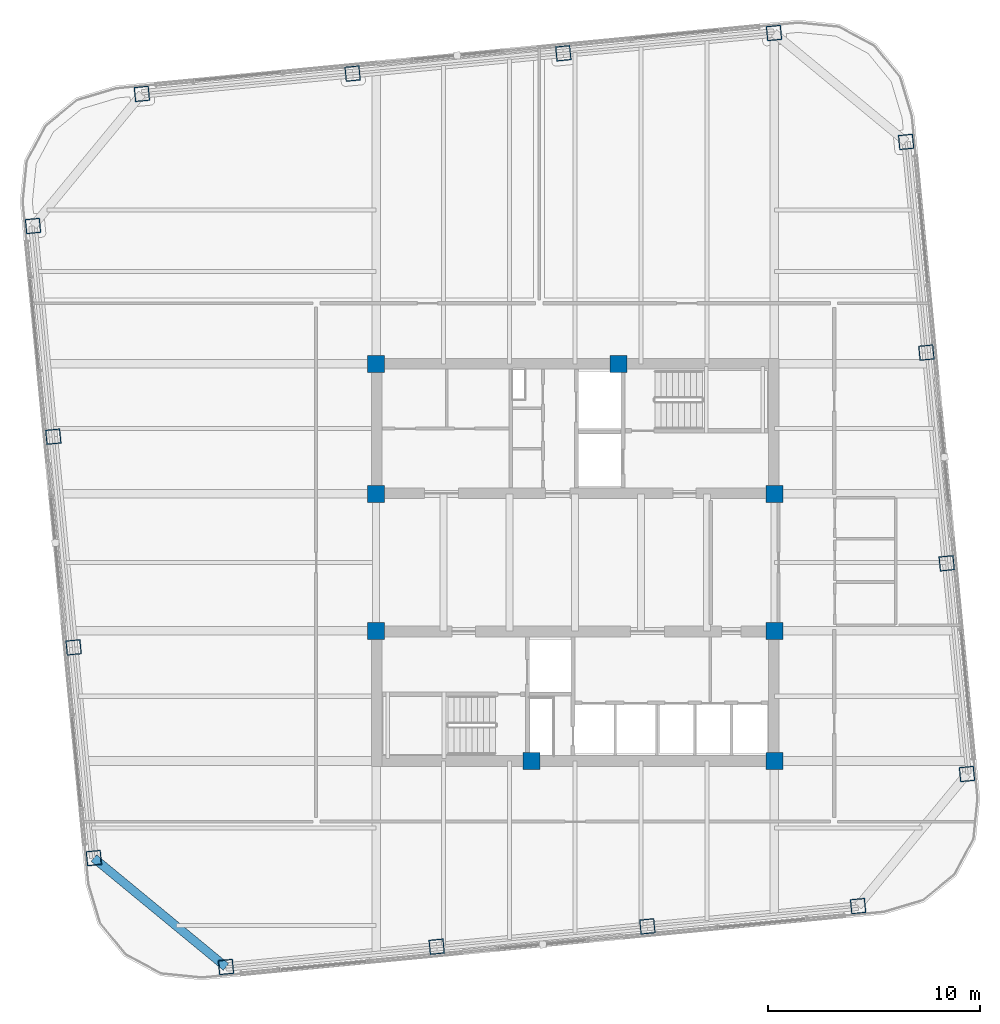
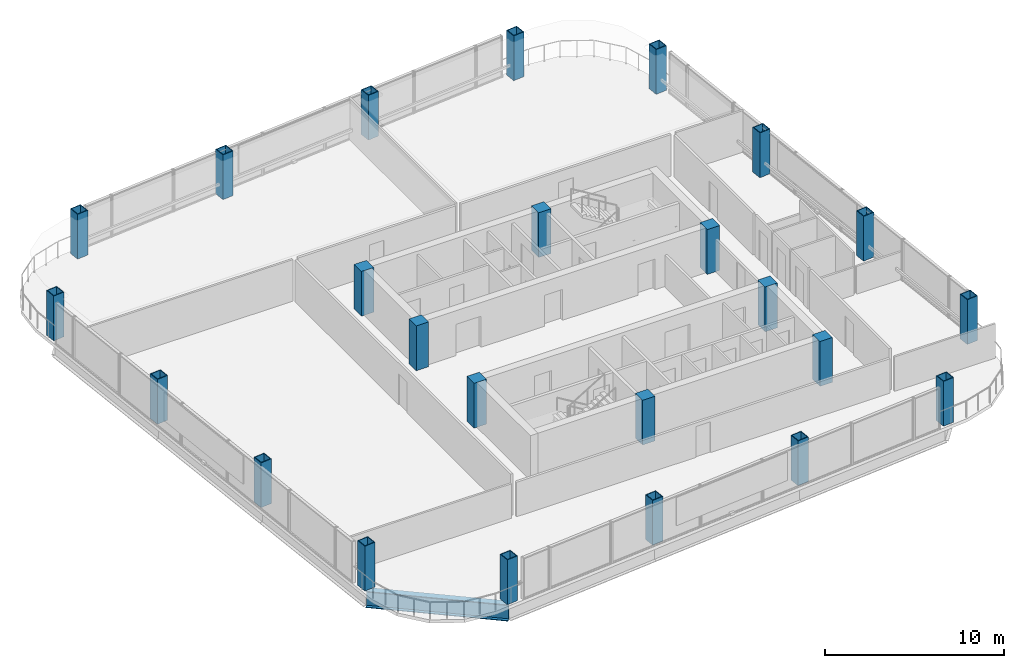
# One storey, part 1 of 28: 24 columns, 1 beam.
"""IFC4 building model written with IfcOpenShell, lengths in metres."""

from ifc_helpers import new_model, si_unit, direction, frame, origin, origin_2d, place, context, subcontext, project, spatial, rectangle, hollow_rectangle, i_section, extrude, material, material_profile, profile_set, type_object, element, save


model = new_model("IFC4")

# Units and contexts
model_context = context("Model", 3, precision=1e-05, world=origin(), true_north=direction((0.0, 1.0)))
body_context = subcontext(model_context, "Body", "Model", "MODEL_VIEW")
ifc_project = project(units=[si_unit("LENGTHUNIT", "METRE"), si_unit("AREAUNIT", "SQUARE_METRE"), si_unit("VOLUMEUNIT", "CUBIC_METRE"), si_unit("PLANEANGLEUNIT", "RADIAN"), si_unit("MASSUNIT", "GRAM", prefix="KILO")], contexts=[model_context])

# Site, building, storey
site_placement = place(None, origin())
site = spatial("IfcSite", under=ifc_project, at=site_placement, CompositionType="ELEMENT")
building_placement = place(site_placement, origin())
building = spatial("IfcBuilding", under=site, at=building_placement, Name="Qhalaya Broadcast Tower", CompositionType="ELEMENT")
storey_placement = place(building_placement, frame((0.0, 0.0, 159.199951171875)))
storey = spatial("IfcBuildingStorey", under=building, at=storey_placement, Name="L46", CompositionType="ELEMENT", Elevation=159.199951171875)

# Columns
ifc_material_1 = material(Name="Concrete C50/60", Category="concrete")
ifc_material_profile_1 = material_profile(ifc_material_1, rectangle(XDim=0.800048828125, YDim=0.800048828125, at=origin_2d()), Name="RC-COL 800x800")
ifc_profile_set_1 = profile_set([ifc_material_profile_1], Name="Concrete C50/60")
column_type_1 = type_object("IfcColumnType", Name="RC Upper Column C10", PredefinedType="COLUMN", material=ifc_profile_set_1)
for number, where, z_axis, x_axis, name in (
    (1, (-9.375, 9.949951171875, 0.0), (0.0, 0.0, 1.0), (1.0, 0.0, 0.0), "L46 Column COL-CC1"),
    (2, (2.050048828125, 9.949951171875, 0.0), (0.0, 0.0, 1.0), (1.0, 0.0, 0.0), "L46 Column COL-CC2"),
    (3, (-9.375, 3.824951171875, 0.0), (0.0, 0.0, 1.0), (1.0, 0.0, 0.0), "L46 Column COL-CC3"),
    (4, (9.375, 3.824951171875, 0.0), (0.0, 0.0, 1.0), (1.0, 0.0, 0.0), "L46 Column COL-CC4"),
    (5, (-9.375, -2.625, 0.0), (0.0, 0.0, 1.0), (1.0, 0.0, 0.0), "L46 Column COL-CC5"),
    (6, (9.375, -2.625, 0.0), (0.0, 0.0, 1.0), (1.0, 0.0, 0.0), "L46 Column COL-CC6"),
    (7, (-2.050048828125, -8.75, 0.0), (0.0, 0.0, 1.0), (1.0, 0.0, 0.0), "L46 Column COL-CC7"),
    (8, (9.375, -8.75, 0.0), (0.0, 0.0, 1.0), (1.0, 0.0, 0.0), "L46 Column COL-CC8"),
):
    element("IfcColumn", number, at=place(storey_placement, frame(where, z_axis=z_axis, x_axis=x_axis)), inside=storey, type_object=column_type_1, Name=name, PredefinedType="COLUMN", context=body_context, shape_type="SweptSolid", body=[
        extrude(rectangle(XDim=0.800048828125, YDim=0.800048828125, at=origin_2d()), origin(), (0.0, 0.0, 1.0), 3.050048828125),
    ])
ifc_material_2 = material(Name="Structural Steel ASTM A572 Grade 50", Category="steel")
ifc_material_profile_2 = material_profile(ifc_material_2, hollow_rectangle(XDim=0.699951171875, YDim=0.699951171875, WallThickness=0.044921875, at=origin_2d()), Name="BOX 700x700x45")
ifc_profile_set_2 = profile_set([ifc_material_profile_2], Name="Structural Steel ASTM A572 Grade 50")
column_type_2 = type_object("IfcColumnType", Name="Steel Box Column C04", PredefinedType="COLUMN", material=ifc_profile_set_2)
for number, where, z_axis, x_axis, name in (
    (9, (-16.44189453125, -18.44775390625, 0.0), (0.0, 0.0, 1.0), (0.995396198367, 0.09584575252, 0.0), "L46 Column COL-EX01"),
    (10, (-6.521240234375, -17.49267578125, 0.0), (0.0, 0.0, 1.0), (0.995396198367, 0.09584575252, 0.0), "L46 Column COL-EX02"),
    (11, (3.399658203125, -16.537353515625, 0.0), (0.0, 0.0, 1.0), (0.995396198367, 0.09584575252, 0.0), "L46 Column COL-EX03"),
    (12, (13.3203125, -15.58203125, 0.0), (0.0, 0.0, 1.0), (0.995396198367, 0.09584575252, 0.0), "L46 Column COL-EX04"),
    (13, (18.44775390625, -9.362060546875, 0.0), (0.0, 0.0, 1.0), (-0.09584575252, 0.995396198367, 0.0), "L46 Column COL-EX05"),
    (14, (17.49267578125, 0.558837890625, 0.0), (0.0, 0.0, 1.0), (-0.09584575252, 0.995396198367, 0.0), "L46 Column COL-EX06"),
    (15, (16.537353515625, 10.4794921875, 0.0), (0.0, 0.0, 1.0), (-0.09584575252, 0.995396198367, 0.0), "L46 Column COL-EX07"),
    (16, (15.58203125, 20.400390625, 0.0), (0.0, 0.0, 1.0), (-0.09584575252, 0.995396198367, 0.0), "L46 Column COL-EX08"),
    (17, (9.362060546875, 25.52783203125, 0.0), (0.0, 0.0, 1.0), (0.995396198367, 0.09584575252, 0.0), "L46 Column COL-EX09"),
    (18, (-0.558837890625, 24.572509765625, 0.0), (0.0, 0.0, 1.0), (0.995396198367, 0.09584575252, 0.0), "L46 Column COL-EX10"),
    (19, (-10.4794921875, 23.6171875, 0.0), (0.0, 0.0, 1.0), (0.995396198367, 0.09584575252, 0.0), "L46 Column COL-EX11"),
    (20, (-20.400390625, 22.662109375, 0.0), (0.0, 0.0, 1.0), (0.995396198367, 0.09584575252, 0.0), "L46 Column COL-EX12"),
    (21, (-25.52783203125, 16.44189453125, 0.0), (0.0, 0.0, 1.0), (-0.09584575252, 0.995396198367, 0.0), "L46 Column COL-EX13"),
    (22, (-24.572509765625, 6.521240234375, 0.0), (0.0, 0.0, 1.0), (-0.09584575252, 0.995396198367, 0.0), "L46 Column COL-EX14"),
    (23, (-23.6171875, -3.399658203125, 0.0), (0.0, 0.0, 1.0), (-0.09584575252, 0.995396198367, 0.0), "L46 Column COL-EX15"),
    (24, (-22.662109375, -13.3203125, 0.0), (0.0, 0.0, 1.0), (-0.09584575252, 0.995396198367, 0.0), "L46 Column COL-EX16"),
):
    element("IfcColumn", number, at=place(storey_placement, frame(where, z_axis=z_axis, x_axis=x_axis)), inside=storey, type_object=column_type_2, Name=name, PredefinedType="COLUMN", context=body_context, shape_type="SweptSolid", body=[
        extrude(hollow_rectangle(XDim=0.699951171875, YDim=0.699951171875, WallThickness=0.044921875, at=origin_2d()), origin(), (0.0, 0.0, 1.0), 3.050048828125),
    ])

# Beam
ifc_material_3 = material(Name="Structural Steel ASTM A992 Grade 50", Category="steel")
ifc_material_profile_3 = material_profile(ifc_material_3, i_section(OverallWidth=0.404052734375, OverallDepth=1.117919921875, WebThickness=0.026123046875, FlangeThickness=0.044921875, at=origin_2d()), Name="W44X335")
ifc_profile_set_3 = profile_set([ifc_material_profile_3], Name="Structural Steel ASTM A992 Grade 50")
beam_type = type_object("IfcBeamType", Name="Podium Long-Span Primary Girder PG1", PredefinedType="USERDEFINED", material=ifc_profile_set_3)
beam_placement = place(storey_placement, frame((-22.662109375, -13.3203125, -0.779052734375), z_axis=(0.771631160126, -0.636070241972, 0.0), x_axis=(0.636070241972, 0.771631160126, 0.0)))
element("IfcBeam", 25, at=beam_placement, inside=storey, type_object=beam_type, Name="L46 PG1 L46-SPR-16", ObjectType="GIRDER", PredefinedType="USERDEFINED", context=body_context, shape_type="SweptSolid", body=[
    extrude(i_section(OverallWidth=0.404052734375, OverallDepth=1.117919921875, WebThickness=0.026123046875, FlangeThickness=0.044921875, at=origin_2d()), origin(), (0.0, 0.0, 1.0), 8.06103515625),
])

save(model, "model.ifc")
